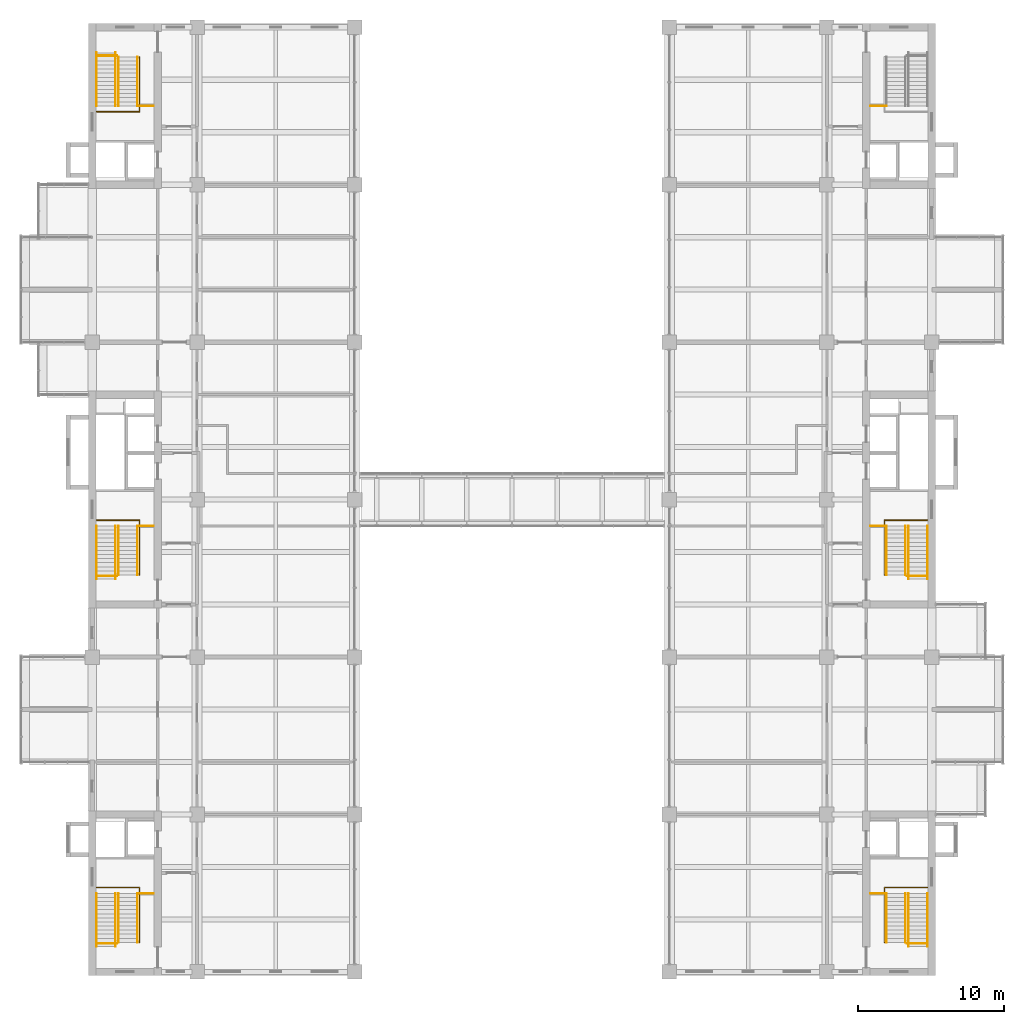
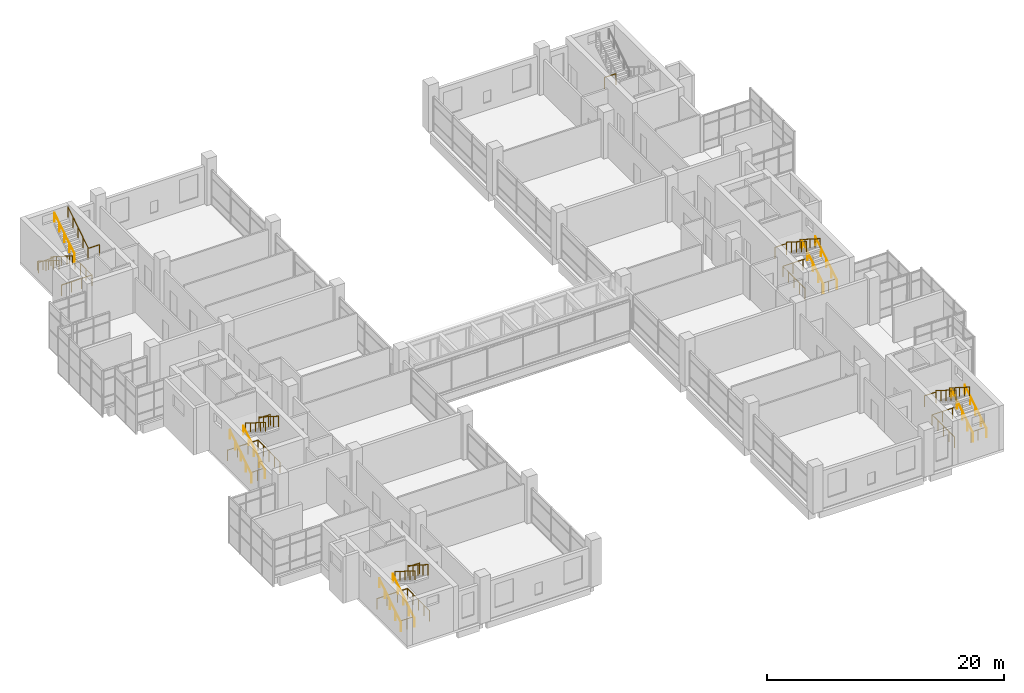
# One storey, part 34 of 35: 36 railings.
"""IFC4 building model written with IfcOpenShell, lengths in metres."""

from ifc_helpers import new_model, si_unit, direction, frame, origin, origin_2d, place, context, subcontext, project, spatial, circle, extrude, material, type_object, element, save


model = new_model("IFC4")

# Units and contexts
model_context = context("Model", 3, precision=1e-05, world=origin(), true_north=direction((0.0, 1.0)))
body_context = subcontext(model_context, "Body", "Model", "MODEL_VIEW")
ifc_project = project(units=[si_unit("LENGTHUNIT", "METRE"), si_unit("AREAUNIT", "SQUARE_METRE"), si_unit("VOLUMEUNIT", "CUBIC_METRE"), si_unit("PLANEANGLEUNIT", "RADIAN"), si_unit("MASSUNIT", "GRAM", prefix="KILO")], contexts=[model_context])

# Site, building, storey
site_placement = place(None, origin())
site = spatial("IfcSite", under=ifc_project, at=site_placement, CompositionType="ELEMENT")
building_placement = place(site_placement, origin())
building = spatial("IfcBuilding", under=site, at=building_placement, Name="Basin Gate Institute", CompositionType="ELEMENT")
storey_placement = place(building_placement, frame((0.0, 0.0, 31.800048828125)))
storey = spatial("IfcBuildingStorey", under=building, at=storey_placement, Name="L06", CompositionType="ELEMENT", Elevation=31.800048828125)

# Railings
ifc_material_1 = material(Name="Stainless steel", Category="steel")
railing_type_1 = type_object("IfcRailingType", Name="Stair guard GR1", PredefinedType="GUARDRAIL", material=ifc_material_1)
railing_1_placement = place(storey_placement, frame((64.449951171875, 37.1298828125, 0.0)))
element("IfcRailing", 1, at=railing_1_placement, inside=storey, type_object=railing_type_1, material=ifc_material_1, Name="Stair guard GR1 WS GD3-L05", PredefinedType="GUARDRAIL", context=body_context, shape_type="SweptSolid", body=[
    extrude(circle(Radius=0.02392578125, at=origin_2d()), frame((0.0, 0.0, 1.076171875), z_axis=(0.0, 1.0, 0.0), x_axis=(-1.0, 0.0, 0.0)), (0.0, 0.0, 1.0), 3.760009765625),
    extrude(circle(Radius=0.02392578125, at=origin_2d()), frame((0.0, 3.760009765625, 1.076171875), z_axis=(-1.0, 0.0, 0.0), x_axis=(0.0, -1.0, 0.0)), (0.0, 0.0, 1.0), 2.949951171875),
    extrude(circle(Radius=0.02099609375, at=origin_2d()), origin(), (0.0, 0.0, 1.0), 1.052001953125),
    extrude(circle(Radius=0.02099609375, at=origin_2d()), frame((0.0, 0.93994140625, 0.0)), (0.0, 0.0, 1.0), 1.052001953125),
    extrude(circle(Radius=0.02099609375, at=origin_2d()), frame((0.0, 1.8798828125, 0.0)), (0.0, 0.0, 1.0), 1.052001953125),
    extrude(circle(Radius=0.02099609375, at=origin_2d()), frame((0.0, 2.820068359375, 0.0)), (0.0, 0.0, 1.0), 1.052001953125),
    extrude(circle(Radius=0.02099609375, at=origin_2d()), frame((0.0, 3.760009765625, 0.0)), (0.0, 0.0, 1.0), 1.052001953125),
    extrude(circle(Radius=0.02099609375, at=origin_2d()), frame((-0.9833984375, 3.760009765625, 0.0)), (0.0, 0.0, 1.0), 1.052001953125),
    extrude(circle(Radius=0.02099609375, at=origin_2d()), frame((-1.966552734375, 3.760009765625, 0.0)), (0.0, 0.0, 1.0), 1.052001953125),
    extrude(circle(Radius=0.02099609375, at=origin_2d()), frame((-2.949951171875, 3.760009765625, 0.0)), (0.0, 0.0, 1.0), 1.052001953125),
])
railing_2_placement = place(storey_placement, frame((61.5, 37.050048828125, 0.0)))
element("IfcRailing", 2, at=railing_2_placement, inside=storey, type_object=railing_type_1, material=ifc_material_1, Name="Stair guard GR1 WS GD4-L05", PredefinedType="GUARDRAIL", context=body_context, shape_type="SweptSolid", body=[
    extrude(circle(Radius=0.02392578125, at=origin_2d()), frame((0.0, 0.0, 1.076171875), z_axis=(1.0, 0.0, 0.0), x_axis=(0.0, 1.0, 0.0)), (0.0, 0.0, 1.0), 1.39990234375),
    extrude(circle(Radius=0.02099609375, at=origin_2d()), origin(), (0.0, 0.0, 1.0), 1.052001953125),
    extrude(circle(Radius=0.02099609375, at=origin_2d()), frame((0.699951171875, 0.0, 0.0)), (0.0, 0.0, 1.0), 1.052001953125),
    extrude(circle(Radius=0.02099609375, at=origin_2d()), frame((1.39990234375, 0.0, 0.0)), (0.0, 0.0, 1.0), 1.052001953125),
])
railing_3_placement = place(storey_placement, frame((64.449951171875, 62.330078125, 0.0)))
element("IfcRailing", 3, at=railing_3_placement, inside=storey, type_object=railing_type_1, material=ifc_material_1, Name="Stair guard GR1 WM GD3-L05", PredefinedType="GUARDRAIL", context=body_context, shape_type="SweptSolid", body=[
    extrude(circle(Radius=0.02392578125, at=origin_2d()), frame((0.0, 0.0, 1.076171875), z_axis=(0.0, 1.0, 0.0), x_axis=(-1.0, 0.0, 0.0)), (0.0, 0.0, 1.0), 3.760009765625),
    extrude(circle(Radius=0.02392578125, at=origin_2d()), frame((0.0, 3.760009765625, 1.076171875), z_axis=(-1.0, 0.0, 0.0), x_axis=(0.0, -1.0, 0.0)), (0.0, 0.0, 1.0), 2.949951171875),
    extrude(circle(Radius=0.02099609375, at=origin_2d()), origin(), (0.0, 0.0, 1.0), 1.052001953125),
    extrude(circle(Radius=0.02099609375, at=origin_2d()), frame((0.0, 0.93994140625, 0.0)), (0.0, 0.0, 1.0), 1.052001953125),
    extrude(circle(Radius=0.02099609375, at=origin_2d()), frame((0.0, 1.8798828125, 0.0)), (0.0, 0.0, 1.0), 1.052001953125),
    extrude(circle(Radius=0.02099609375, at=origin_2d()), frame((0.0, 2.820068359375, 0.0)), (0.0, 0.0, 1.0), 1.052001953125),
    extrude(circle(Radius=0.02099609375, at=origin_2d()), frame((0.0, 3.760009765625, 0.0)), (0.0, 0.0, 1.0), 1.052001953125),
    extrude(circle(Radius=0.02099609375, at=origin_2d()), frame((-0.9833984375, 3.760009765625, 0.0)), (0.0, 0.0, 1.0), 1.052001953125),
    extrude(circle(Radius=0.02099609375, at=origin_2d()), frame((-1.966552734375, 3.760009765625, 0.0)), (0.0, 0.0, 1.0), 1.052001953125),
    extrude(circle(Radius=0.02099609375, at=origin_2d()), frame((-2.949951171875, 3.760009765625, 0.0)), (0.0, 0.0, 1.0), 1.052001953125),
])
railing_4_placement = place(storey_placement, frame((61.5, 62.25, 0.0)))
element("IfcRailing", 4, at=railing_4_placement, inside=storey, type_object=railing_type_1, material=ifc_material_1, Name="Stair guard GR1 WM GD4-L05", PredefinedType="GUARDRAIL", context=body_context, shape_type="SweptSolid", body=[
    extrude(circle(Radius=0.02392578125, at=origin_2d()), frame((0.0, 0.0, 1.076171875), z_axis=(1.0, 0.0, 0.0), x_axis=(0.0, 1.0, 0.0)), (0.0, 0.0, 1.0), 1.39990234375),
    extrude(circle(Radius=0.02099609375, at=origin_2d()), origin(), (0.0, 0.0, 1.0), 1.052001953125),
    extrude(circle(Radius=0.02099609375, at=origin_2d()), frame((0.699951171875, 0.0, 0.0)), (0.0, 0.0, 1.0), 1.052001953125),
    extrude(circle(Radius=0.02099609375, at=origin_2d()), frame((1.39990234375, 0.0, 0.0)), (0.0, 0.0, 1.0), 1.052001953125),
])
railing_5_placement = place(storey_placement, frame((64.449951171875, 97.8701171875, 0.0)))
element("IfcRailing", 5, at=railing_5_placement, inside=storey, type_object=railing_type_1, material=ifc_material_1, Name="Stair guard GR1 WN GD3-L05", PredefinedType="GUARDRAIL", context=body_context, shape_type="SweptSolid", body=[
    extrude(circle(Radius=0.02392578125, at=origin_2d()), frame((0.0, 0.0, 1.076171875), z_axis=(0.0, -1.0, 0.0), x_axis=(1.0, 0.0, 0.0)), (0.0, 0.0, 1.0), 3.760009765625),
    extrude(circle(Radius=0.02392578125, at=origin_2d()), frame((0.0, -3.760009765625, 1.076171875), z_axis=(-1.0, 0.0, 0.0), x_axis=(0.0, -1.0, 0.0)), (0.0, 0.0, 1.0), 2.949951171875),
    extrude(circle(Radius=0.02099609375, at=origin_2d()), origin(), (0.0, 0.0, 1.0), 1.052001953125),
    extrude(circle(Radius=0.02099609375, at=origin_2d()), frame((0.0, -0.93994140625, 0.0)), (0.0, 0.0, 1.0), 1.052001953125),
    extrude(circle(Radius=0.02099609375, at=origin_2d()), frame((0.0, -1.8798828125, 0.0)), (0.0, 0.0, 1.0), 1.052001953125),
    extrude(circle(Radius=0.02099609375, at=origin_2d()), frame((0.0, -2.820068359375, 0.0)), (0.0, 0.0, 1.0), 1.052001953125),
    extrude(circle(Radius=0.02099609375, at=origin_2d()), frame((0.0, -3.760009765625, 0.0)), (0.0, 0.0, 1.0), 1.052001953125),
    extrude(circle(Radius=0.02099609375, at=origin_2d()), frame((-0.9833984375, -3.760009765625, 0.0)), (0.0, 0.0, 1.0), 1.052001953125),
    extrude(circle(Radius=0.02099609375, at=origin_2d()), frame((-1.966552734375, -3.760009765625, 0.0)), (0.0, 0.0, 1.0), 1.052001953125),
    extrude(circle(Radius=0.02099609375, at=origin_2d()), frame((-2.949951171875, -3.760009765625, 0.0)), (0.0, 0.0, 1.0), 1.052001953125),
])
railing_6_placement = place(storey_placement, frame((61.5, 97.949951171875, 0.0)))
element("IfcRailing", 6, at=railing_6_placement, inside=storey, type_object=railing_type_1, material=ifc_material_1, Name="Stair guard GR1 WN GD4-L05", PredefinedType="GUARDRAIL", context=body_context, shape_type="SweptSolid", body=[
    extrude(circle(Radius=0.02392578125, at=origin_2d()), frame((0.0, 0.0, 1.076171875), z_axis=(1.0, 0.0, 0.0), x_axis=(0.0, 1.0, 0.0)), (0.0, 0.0, 1.0), 1.39990234375),
    extrude(circle(Radius=0.02099609375, at=origin_2d()), origin(), (0.0, 0.0, 1.0), 1.052001953125),
    extrude(circle(Radius=0.02099609375, at=origin_2d()), frame((0.699951171875, 0.0, 0.0)), (0.0, 0.0, 1.0), 1.052001953125),
    extrude(circle(Radius=0.02099609375, at=origin_2d()), frame((1.39990234375, 0.0, 0.0)), (0.0, 0.0, 1.0), 1.052001953125),
])
railing_7_placement = place(storey_placement, frame((115.550048828125, 37.1298828125, 0.0)))
element("IfcRailing", 7, at=railing_7_placement, inside=storey, type_object=railing_type_1, material=ifc_material_1, Name="Stair guard GR1 ES GD3-L05", PredefinedType="GUARDRAIL", context=body_context, shape_type="SweptSolid", body=[
    extrude(circle(Radius=0.02392578125, at=origin_2d()), frame((0.0, 0.0, 1.076171875), z_axis=(0.0, 1.0, 0.0), x_axis=(-1.0, 0.0, 0.0)), (0.0, 0.0, 1.0), 3.760009765625),
    extrude(circle(Radius=0.02392578125, at=origin_2d()), frame((0.0, 3.760009765625, 1.076171875), z_axis=(1.0, 0.0, 0.0), x_axis=(0.0, 1.0, 0.0)), (0.0, 0.0, 1.0), 2.949951171875),
    extrude(circle(Radius=0.02099609375, at=origin_2d()), origin(), (0.0, 0.0, 1.0), 1.052001953125),
    extrude(circle(Radius=0.02099609375, at=origin_2d()), frame((0.0, 0.93994140625, 0.0)), (0.0, 0.0, 1.0), 1.052001953125),
    extrude(circle(Radius=0.02099609375, at=origin_2d()), frame((0.0, 1.8798828125, 0.0)), (0.0, 0.0, 1.0), 1.052001953125),
    extrude(circle(Radius=0.02099609375, at=origin_2d()), frame((0.0, 2.820068359375, 0.0)), (0.0, 0.0, 1.0), 1.052001953125),
    extrude(circle(Radius=0.02099609375, at=origin_2d()), frame((0.0, 3.760009765625, 0.0)), (0.0, 0.0, 1.0), 1.052001953125),
    extrude(circle(Radius=0.02099609375, at=origin_2d()), frame((0.9833984375, 3.760009765625, 0.0)), (0.0, 0.0, 1.0), 1.052001953125),
    extrude(circle(Radius=0.02099609375, at=origin_2d()), frame((1.966552734375, 3.760009765625, 0.0)), (0.0, 0.0, 1.0), 1.052001953125),
    extrude(circle(Radius=0.02099609375, at=origin_2d()), frame((2.949951171875, 3.760009765625, 0.0)), (0.0, 0.0, 1.0), 1.052001953125),
])
railing_8_placement = place(storey_placement, frame((118.5, 37.050048828125, 0.0)))
element("IfcRailing", 8, at=railing_8_placement, inside=storey, type_object=railing_type_1, material=ifc_material_1, Name="Stair guard GR1 ES GD4-L05", PredefinedType="GUARDRAIL", context=body_context, shape_type="SweptSolid", body=[
    extrude(circle(Radius=0.02392578125, at=origin_2d()), frame((0.0, 0.0, 1.076171875), z_axis=(-1.0, 0.0, 0.0), x_axis=(0.0, -1.0, 0.0)), (0.0, 0.0, 1.0), 1.39990234375),
    extrude(circle(Radius=0.02099609375, at=origin_2d()), origin(), (0.0, 0.0, 1.0), 1.052001953125),
    extrude(circle(Radius=0.02099609375, at=origin_2d()), frame((-0.699951171875, 0.0, 0.0)), (0.0, 0.0, 1.0), 1.052001953125),
    extrude(circle(Radius=0.02099609375, at=origin_2d()), frame((-1.39990234375, 0.0, 0.0)), (0.0, 0.0, 1.0), 1.052001953125),
])
railing_9_placement = place(storey_placement, frame((115.550048828125, 62.330078125, 0.0)))
element("IfcRailing", 9, at=railing_9_placement, inside=storey, type_object=railing_type_1, material=ifc_material_1, Name="Stair guard GR1 EM GD3-L05", PredefinedType="GUARDRAIL", context=body_context, shape_type="SweptSolid", body=[
    extrude(circle(Radius=0.02392578125, at=origin_2d()), frame((0.0, 0.0, 1.076171875), z_axis=(0.0, 1.0, 0.0), x_axis=(-1.0, 0.0, 0.0)), (0.0, 0.0, 1.0), 3.760009765625),
    extrude(circle(Radius=0.02392578125, at=origin_2d()), frame((0.0, 3.760009765625, 1.076171875), z_axis=(1.0, 0.0, 0.0), x_axis=(0.0, 1.0, 0.0)), (0.0, 0.0, 1.0), 2.949951171875),
    extrude(circle(Radius=0.02099609375, at=origin_2d()), origin(), (0.0, 0.0, 1.0), 1.052001953125),
    extrude(circle(Radius=0.02099609375, at=origin_2d()), frame((0.0, 0.93994140625, 0.0)), (0.0, 0.0, 1.0), 1.052001953125),
    extrude(circle(Radius=0.02099609375, at=origin_2d()), frame((0.0, 1.8798828125, 0.0)), (0.0, 0.0, 1.0), 1.052001953125),
    extrude(circle(Radius=0.02099609375, at=origin_2d()), frame((0.0, 2.820068359375, 0.0)), (0.0, 0.0, 1.0), 1.052001953125),
    extrude(circle(Radius=0.02099609375, at=origin_2d()), frame((0.0, 3.760009765625, 0.0)), (0.0, 0.0, 1.0), 1.052001953125),
    extrude(circle(Radius=0.02099609375, at=origin_2d()), frame((0.9833984375, 3.760009765625, 0.0)), (0.0, 0.0, 1.0), 1.052001953125),
    extrude(circle(Radius=0.02099609375, at=origin_2d()), frame((1.966552734375, 3.760009765625, 0.0)), (0.0, 0.0, 1.0), 1.052001953125),
    extrude(circle(Radius=0.02099609375, at=origin_2d()), frame((2.949951171875, 3.760009765625, 0.0)), (0.0, 0.0, 1.0), 1.052001953125),
])
railing_10_placement = place(storey_placement, frame((118.5, 62.25, 0.0)))
element("IfcRailing", 10, at=railing_10_placement, inside=storey, type_object=railing_type_1, material=ifc_material_1, Name="Stair guard GR1 EM GD4-L05", PredefinedType="GUARDRAIL", context=body_context, shape_type="SweptSolid", body=[
    extrude(circle(Radius=0.02392578125, at=origin_2d()), frame((0.0, 0.0, 1.076171875), z_axis=(-1.0, 0.0, 0.0), x_axis=(0.0, -1.0, 0.0)), (0.0, 0.0, 1.0), 1.39990234375),
    extrude(circle(Radius=0.02099609375, at=origin_2d()), origin(), (0.0, 0.0, 1.0), 1.052001953125),
    extrude(circle(Radius=0.02099609375, at=origin_2d()), frame((-0.699951171875, 0.0, 0.0)), (0.0, 0.0, 1.0), 1.052001953125),
    extrude(circle(Radius=0.02099609375, at=origin_2d()), frame((-1.39990234375, 0.0, 0.0)), (0.0, 0.0, 1.0), 1.052001953125),
])
railing_11_placement = place(storey_placement, frame((64.300048828125, 40.489990234375, 2.66650390625)))
element("IfcRailing", 11, at=railing_11_placement, inside=storey, type_object=railing_type_1, material=ifc_material_1, Name="Stair guard GR1 WS GD1", PredefinedType="GUARDRAIL", context=body_context, shape_type="SweptSolid", body=[
    extrude(circle(Radius=0.02392578125, at=origin_2d()), frame((0.0, 0.0, 1.076171875), z_axis=(0.0, -0.844196513831, 0.536033810533), x_axis=(1.0, 0.0, 0.0)), (0.0, 0.0, 1.0), 3.980224609375),
    extrude(circle(Radius=0.02099609375, at=origin_2d()), origin(), (0.0, 0.0, 1.0), 1.052001953125),
    extrude(circle(Radius=0.02099609375, at=origin_2d()), frame((0.0, -0.840087890625, 0.533447265625)), (0.0, 0.0, 1.0), 1.052001953125),
    extrude(circle(Radius=0.02099609375, at=origin_2d()), frame((0.0, -1.68017578125, 1.06689453125)), (0.0, 0.0, 1.0), 1.052001953125),
    extrude(circle(Radius=0.02099609375, at=origin_2d()), frame((0.0, -2.52001953125, 1.60009765625)), (0.0, 0.0, 1.0), 1.052001953125),
    extrude(circle(Radius=0.02099609375, at=origin_2d()), frame((0.0, -3.360107421875, 2.133544921875)), (0.0, 0.0, 1.0), 1.052001953125),
])
railing_12_placement = place(storey_placement, frame((64.300048828125, 65.68994140625, 2.66650390625)))
element("IfcRailing", 12, at=railing_12_placement, inside=storey, type_object=railing_type_1, material=ifc_material_1, Name="Stair guard GR1 WM GD1", PredefinedType="GUARDRAIL", context=body_context, shape_type="SweptSolid", body=[
    extrude(circle(Radius=0.02392578125, at=origin_2d()), frame((0.0, 0.0, 1.076171875), z_axis=(0.0, -0.844178888043, 0.536061568276), x_axis=(1.0, 0.0, 0.0)), (0.0, 0.0, 1.0), 3.97998046875),
    extrude(circle(Radius=0.02099609375, at=origin_2d()), origin(), (0.0, 0.0, 1.0), 1.052001953125),
    extrude(circle(Radius=0.02099609375, at=origin_2d()), frame((0.0, -0.83984375, 0.533447265625)), (0.0, 0.0, 1.0), 1.052001953125),
    extrude(circle(Radius=0.02099609375, at=origin_2d()), frame((0.0, -1.679931640625, 1.06689453125)), (0.0, 0.0, 1.0), 1.052001953125),
    extrude(circle(Radius=0.02099609375, at=origin_2d()), frame((0.0, -2.52001953125, 1.60009765625)), (0.0, 0.0, 1.0), 1.052001953125),
    extrude(circle(Radius=0.02099609375, at=origin_2d()), frame((0.0, -3.35986328125, 2.133544921875)), (0.0, 0.0, 1.0), 1.052001953125),
])
railing_13_placement = place(storey_placement, frame((64.300048828125, 94.510009765625, 2.66650390625)))
element("IfcRailing", 13, at=railing_13_placement, inside=storey, type_object=railing_type_1, material=ifc_material_1, Name="Stair guard GR1 WN GD1", PredefinedType="GUARDRAIL", context=body_context, shape_type="SweptSolid", body=[
    extrude(circle(Radius=0.02392578125, at=origin_2d()), frame((0.0, 0.0, 1.076171875), z_axis=(0.0, 0.844196513831, 0.536033810533), x_axis=(-1.0, 0.0, 0.0)), (0.0, 0.0, 1.0), 3.980224609375),
    extrude(circle(Radius=0.02099609375, at=origin_2d()), origin(), (0.0, 0.0, 1.0), 1.052001953125),
    extrude(circle(Radius=0.02099609375, at=origin_2d()), frame((0.0, 0.840087890625, 0.533447265625)), (0.0, 0.0, 1.0), 1.052001953125),
    extrude(circle(Radius=0.02099609375, at=origin_2d()), frame((0.0, 1.68017578125, 1.06689453125)), (0.0, 0.0, 1.0), 1.052001953125),
    extrude(circle(Radius=0.02099609375, at=origin_2d()), frame((0.0, 2.52001953125, 1.60009765625)), (0.0, 0.0, 1.0), 1.052001953125),
    extrude(circle(Radius=0.02099609375, at=origin_2d()), frame((0.0, 3.360107421875, 2.133544921875)), (0.0, 0.0, 1.0), 1.052001953125),
])
railing_14_placement = place(storey_placement, frame((115.699951171875, 40.489990234375, 2.66650390625)))
element("IfcRailing", 14, at=railing_14_placement, inside=storey, type_object=railing_type_1, material=ifc_material_1, Name="Stair guard GR1 ES GD1", PredefinedType="GUARDRAIL", context=body_context, shape_type="SweptSolid", body=[
    extrude(circle(Radius=0.02392578125, at=origin_2d()), frame((0.0, 0.0, 1.076171875), z_axis=(0.0, -0.844196513831, 0.536033810533), x_axis=(1.0, 0.0, 0.0)), (0.0, 0.0, 1.0), 3.980224609375),
    extrude(circle(Radius=0.02099609375, at=origin_2d()), origin(), (0.0, 0.0, 1.0), 1.052001953125),
    extrude(circle(Radius=0.02099609375, at=origin_2d()), frame((0.0, -0.840087890625, 0.533447265625)), (0.0, 0.0, 1.0), 1.052001953125),
    extrude(circle(Radius=0.02099609375, at=origin_2d()), frame((0.0, -1.68017578125, 1.06689453125)), (0.0, 0.0, 1.0), 1.052001953125),
    extrude(circle(Radius=0.02099609375, at=origin_2d()), frame((0.0, -2.52001953125, 1.60009765625)), (0.0, 0.0, 1.0), 1.052001953125),
    extrude(circle(Radius=0.02099609375, at=origin_2d()), frame((0.0, -3.360107421875, 2.133544921875)), (0.0, 0.0, 1.0), 1.052001953125),
])
railing_15_placement = place(storey_placement, frame((115.699951171875, 65.68994140625, 2.66650390625)))
element("IfcRailing", 15, at=railing_15_placement, inside=storey, type_object=railing_type_1, material=ifc_material_1, Name="Stair guard GR1 EM GD1", PredefinedType="GUARDRAIL", context=body_context, shape_type="SweptSolid", body=[
    extrude(circle(Radius=0.02392578125, at=origin_2d()), frame((0.0, 0.0, 1.076171875), z_axis=(0.0, -0.844178888043, 0.536061568276), x_axis=(1.0, 0.0, 0.0)), (0.0, 0.0, 1.0), 3.97998046875),
    extrude(circle(Radius=0.02099609375, at=origin_2d()), origin(), (0.0, 0.0, 1.0), 1.052001953125),
    extrude(circle(Radius=0.02099609375, at=origin_2d()), frame((0.0, -0.83984375, 0.533447265625)), (0.0, 0.0, 1.0), 1.052001953125),
    extrude(circle(Radius=0.02099609375, at=origin_2d()), frame((0.0, -1.679931640625, 1.06689453125)), (0.0, 0.0, 1.0), 1.052001953125),
    extrude(circle(Radius=0.02099609375, at=origin_2d()), frame((0.0, -2.52001953125, 1.60009765625)), (0.0, 0.0, 1.0), 1.052001953125),
    extrude(circle(Radius=0.02099609375, at=origin_2d()), frame((0.0, -3.35986328125, 2.133544921875)), (0.0, 0.0, 1.0), 1.052001953125),
])
ifc_material_2 = material(Name="Stainless steel", Category="steel")
railing_type_2 = type_object("IfcRailingType", Name="Stair guard GR3", PredefinedType="GUARDRAIL", material=ifc_material_2)
for number, where, name in (
    (16, (64.300048828125, 40.489990234375, 2.48876953125), "Stair guard GR3 WS GD2"),
    (17, (64.300048828125, 65.68994140625, 2.48876953125), "Stair guard GR3 WM GD2"),
    (18, (64.300048828125, 94.510009765625, 2.48876953125), "Stair guard GR3 WN GD2"),
):
    element("IfcRailing", number, at=place(storey_placement, frame(where)), inside=storey, type_object=railing_type_2, material=ifc_material_2, Name=name, PredefinedType="GUARDRAIL", context=body_context, shape_type="SweptSolid", body=[
        extrude(circle(Radius=0.02392578125, at=origin_2d()), frame((0.0, 0.0, 1.1259765625), z_axis=(1.0, 0.0, 0.0), x_axis=(0.0, 1.0, 0.0)), (0.0, 0.0, 1.0), 1.119873046875),
        extrude(circle(Radius=0.02099609375, at=origin_2d()), origin(), (0.0, 0.0, 1.0), 1.101806640625),
        extrude(circle(Radius=0.02099609375, at=origin_2d()), frame((1.119873046875, 0.0, 0.0)), (0.0, 0.0, 1.0), 1.101806640625),
    ])
for number, where, name in (
    (19, (115.699951171875, 40.489990234375, 2.48876953125), "Stair guard GR3 ES GD2"),
    (20, (115.699951171875, 65.68994140625, 2.48876953125), "Stair guard GR3 EM GD2"),
    (21, (115.699951171875, 94.510009765625, 2.48876953125), "Stair guard GR3 EN GD2"),
):
    element("IfcRailing", number, at=place(storey_placement, frame(where)), inside=storey, type_object=railing_type_2, material=ifc_material_2, Name=name, PredefinedType="GUARDRAIL", context=body_context, shape_type="SweptSolid", body=[
        extrude(circle(Radius=0.02392578125, at=origin_2d()), frame((0.0, 0.0, 1.1259765625), z_axis=(-1.0, 0.0, 0.0), x_axis=(0.0, -1.0, 0.0)), (0.0, 0.0, 1.0), 1.119873046875),
        extrude(circle(Radius=0.02099609375, at=origin_2d()), origin(), (0.0, 0.0, 1.0), 1.101806640625),
        extrude(circle(Radius=0.02099609375, at=origin_2d()), frame((-1.119873046875, 0.0, 0.0)), (0.0, 0.0, 1.0), 1.101806640625),
    ])
ifc_material_3 = material(Name="Stainless steel", Category="steel")
railing_type_3 = type_object("IfcRailingType", Name="Stair handrail HR1", PredefinedType="HANDRAIL", material=ifc_material_3)
for number, where, name in (
    (22, (61.5, 36.85009765625, 0.177734375), "Stair handrail HR1 WS HR1"),
    (23, (62.800048828125, 36.85009765625, 0.177734375), "Stair handrail HR1 WS HR2"),
):
    element("IfcRailing", number, at=place(storey_placement, frame(where)), inside=storey, type_object=railing_type_3, material=ifc_material_3, Name=name, PredefinedType="HANDRAIL", context=body_context, shape_type="SweptSolid", body=[
        extrude(circle(Radius=0.02392578125, at=origin_2d()), frame((0.0, 0.0, 0.89599609375), z_axis=(0.0, 0.84421362867, 0.536006855523), x_axis=(-1.0, 0.0, 0.0)), (0.0, 0.0, 1.0), 4.3115234375),
        extrude(circle(Radius=0.02099609375, at=origin_2d()), origin(), (0.0, 0.0, 1.0), 0.871826171875),
        extrude(circle(Radius=0.02099609375, at=origin_2d()), frame((0.0, 0.909912109375, 0.57763671875)), (0.0, 0.0, 1.0), 0.871826171875),
        extrude(circle(Radius=0.02099609375, at=origin_2d()), frame((0.0, 1.81982421875, 1.155517578125)), (0.0, 0.0, 1.0), 0.871826171875),
        extrude(circle(Radius=0.02099609375, at=origin_2d()), frame((0.0, 2.72998046875, 1.7333984375)), (0.0, 0.0, 1.0), 0.871826171875),
        extrude(circle(Radius=0.02099609375, at=origin_2d()), frame((0.0, 3.639892578125, 2.31103515625)), (0.0, 0.0, 1.0), 0.871826171875),
    ])
railing_16_placement = place(storey_placement, frame((63.0, 40.489990234375, 2.66650390625)))
element("IfcRailing", 24, at=railing_16_placement, inside=storey, type_object=railing_type_3, material=ifc_material_3, Name="Stair handrail HR1 WS HR3", PredefinedType="HANDRAIL", context=body_context, shape_type="SweptSolid", body=[
    extrude(circle(Radius=0.02392578125, at=origin_2d()), frame((0.0, 0.0, 0.89599609375), z_axis=(0.0, -0.844196513831, 0.536033810533), x_axis=(1.0, 0.0, 0.0)), (0.0, 0.0, 1.0), 3.980224609375),
    extrude(circle(Radius=0.02099609375, at=origin_2d()), origin(), (0.0, 0.0, 1.0), 0.871826171875),
    extrude(circle(Radius=0.02099609375, at=origin_2d()), frame((0.0, -0.840087890625, 0.533447265625)), (0.0, 0.0, 1.0), 0.871826171875),
    extrude(circle(Radius=0.02099609375, at=origin_2d()), frame((0.0, -1.68017578125, 1.06689453125)), (0.0, 0.0, 1.0), 0.871826171875),
    extrude(circle(Radius=0.02099609375, at=origin_2d()), frame((0.0, -2.52001953125, 1.60009765625)), (0.0, 0.0, 1.0), 0.871826171875),
    extrude(circle(Radius=0.02099609375, at=origin_2d()), frame((0.0, -3.360107421875, 2.133544921875)), (0.0, 0.0, 1.0), 0.871826171875),
])
for number, where, name in (
    (25, (61.5, 62.050048828125, 0.177734375), "Stair handrail HR1 WM HR1"),
    (26, (62.800048828125, 62.050048828125, 0.177734375), "Stair handrail HR1 WM HR2"),
):
    element("IfcRailing", number, at=place(storey_placement, frame(where)), inside=storey, type_object=railing_type_3, material=ifc_material_3, Name=name, PredefinedType="HANDRAIL", context=body_context, shape_type="SweptSolid", body=[
        extrude(circle(Radius=0.02392578125, at=origin_2d()), frame((0.0, 0.0, 0.89599609375), z_axis=(0.0, 0.84421362867, 0.536006855523), x_axis=(-1.0, 0.0, 0.0)), (0.0, 0.0, 1.0), 4.3115234375),
        extrude(circle(Radius=0.02099609375, at=origin_2d()), origin(), (0.0, 0.0, 1.0), 0.871826171875),
        extrude(circle(Radius=0.02099609375, at=origin_2d()), frame((0.0, 0.909912109375, 0.57763671875)), (0.0, 0.0, 1.0), 0.871826171875),
        extrude(circle(Radius=0.02099609375, at=origin_2d()), frame((0.0, 1.81982421875, 1.155517578125)), (0.0, 0.0, 1.0), 0.871826171875),
        extrude(circle(Radius=0.02099609375, at=origin_2d()), frame((0.0, 2.72998046875, 1.7333984375)), (0.0, 0.0, 1.0), 0.871826171875),
        extrude(circle(Radius=0.02099609375, at=origin_2d()), frame((0.0, 3.639892578125, 2.31103515625)), (0.0, 0.0, 1.0), 0.871826171875),
    ])
railing_17_placement = place(storey_placement, frame((63.0, 65.68994140625, 2.66650390625)))
element("IfcRailing", 27, at=railing_17_placement, inside=storey, type_object=railing_type_3, material=ifc_material_3, Name="Stair handrail HR1 WM HR3", PredefinedType="HANDRAIL", context=body_context, shape_type="SweptSolid", body=[
    extrude(circle(Radius=0.02392578125, at=origin_2d()), frame((0.0, 0.0, 0.89599609375), z_axis=(0.0, -0.844178888043, 0.536061568276), x_axis=(1.0, 0.0, 0.0)), (0.0, 0.0, 1.0), 3.97998046875),
    extrude(circle(Radius=0.02099609375, at=origin_2d()), origin(), (0.0, 0.0, 1.0), 0.871826171875),
    extrude(circle(Radius=0.02099609375, at=origin_2d()), frame((0.0, -0.83984375, 0.533447265625)), (0.0, 0.0, 1.0), 0.871826171875),
    extrude(circle(Radius=0.02099609375, at=origin_2d()), frame((0.0, -1.679931640625, 1.06689453125)), (0.0, 0.0, 1.0), 0.871826171875),
    extrude(circle(Radius=0.02099609375, at=origin_2d()), frame((0.0, -2.52001953125, 1.60009765625)), (0.0, 0.0, 1.0), 0.871826171875),
    extrude(circle(Radius=0.02099609375, at=origin_2d()), frame((0.0, -3.35986328125, 2.133544921875)), (0.0, 0.0, 1.0), 0.871826171875),
])
for number, where, name in (
    (28, (61.5, 98.14990234375, 0.177734375), "Stair handrail HR1 WN HR1"),
    (29, (62.800048828125, 98.14990234375, 0.177734375), "Stair handrail HR1 WN HR2"),
):
    element("IfcRailing", number, at=place(storey_placement, frame(where)), inside=storey, type_object=railing_type_3, material=ifc_material_3, Name=name, PredefinedType="HANDRAIL", context=body_context, shape_type="SweptSolid", body=[
        extrude(circle(Radius=0.02392578125, at=origin_2d()), frame((0.0, 0.0, 0.89599609375), z_axis=(0.0, -0.84421362867, 0.536006855523), x_axis=(1.0, 0.0, 0.0)), (0.0, 0.0, 1.0), 4.3115234375),
        extrude(circle(Radius=0.02099609375, at=origin_2d()), origin(), (0.0, 0.0, 1.0), 0.871826171875),
        extrude(circle(Radius=0.02099609375, at=origin_2d()), frame((0.0, -0.909912109375, 0.57763671875)), (0.0, 0.0, 1.0), 0.871826171875),
        extrude(circle(Radius=0.02099609375, at=origin_2d()), frame((0.0, -1.81982421875, 1.155517578125)), (0.0, 0.0, 1.0), 0.871826171875),
        extrude(circle(Radius=0.02099609375, at=origin_2d()), frame((0.0, -2.72998046875, 1.7333984375)), (0.0, 0.0, 1.0), 0.871826171875),
        extrude(circle(Radius=0.02099609375, at=origin_2d()), frame((0.0, -3.639892578125, 2.31103515625)), (0.0, 0.0, 1.0), 0.871826171875),
    ])
railing_18_placement = place(storey_placement, frame((63.0, 94.510009765625, 2.66650390625)))
element("IfcRailing", 30, at=railing_18_placement, inside=storey, type_object=railing_type_3, material=ifc_material_3, Name="Stair handrail HR1 WN HR3", PredefinedType="HANDRAIL", context=body_context, shape_type="SweptSolid", body=[
    extrude(circle(Radius=0.02392578125, at=origin_2d()), frame((0.0, 0.0, 0.89599609375), z_axis=(0.0, 0.844196513831, 0.536033810533), x_axis=(-1.0, 0.0, 0.0)), (0.0, 0.0, 1.0), 3.980224609375),
    extrude(circle(Radius=0.02099609375, at=origin_2d()), origin(), (0.0, 0.0, 1.0), 0.871826171875),
    extrude(circle(Radius=0.02099609375, at=origin_2d()), frame((0.0, 0.840087890625, 0.533447265625)), (0.0, 0.0, 1.0), 0.871826171875),
    extrude(circle(Radius=0.02099609375, at=origin_2d()), frame((0.0, 1.68017578125, 1.06689453125)), (0.0, 0.0, 1.0), 0.871826171875),
    extrude(circle(Radius=0.02099609375, at=origin_2d()), frame((0.0, 2.52001953125, 1.60009765625)), (0.0, 0.0, 1.0), 0.871826171875),
    extrude(circle(Radius=0.02099609375, at=origin_2d()), frame((0.0, 3.360107421875, 2.133544921875)), (0.0, 0.0, 1.0), 0.871826171875),
])
for number, where, name in (
    (31, (118.5, 36.85009765625, 0.177734375), "Stair handrail HR1 ES HR1"),
    (32, (117.199951171875, 36.85009765625, 0.177734375), "Stair handrail HR1 ES HR2"),
):
    element("IfcRailing", number, at=place(storey_placement, frame(where)), inside=storey, type_object=railing_type_3, material=ifc_material_3, Name=name, PredefinedType="HANDRAIL", context=body_context, shape_type="SweptSolid", body=[
        extrude(circle(Radius=0.02392578125, at=origin_2d()), frame((0.0, 0.0, 0.89599609375), z_axis=(0.0, 0.84421362867, 0.536006855523), x_axis=(-1.0, 0.0, 0.0)), (0.0, 0.0, 1.0), 4.3115234375),
        extrude(circle(Radius=0.02099609375, at=origin_2d()), origin(), (0.0, 0.0, 1.0), 0.871826171875),
        extrude(circle(Radius=0.02099609375, at=origin_2d()), frame((0.0, 0.909912109375, 0.57763671875)), (0.0, 0.0, 1.0), 0.871826171875),
        extrude(circle(Radius=0.02099609375, at=origin_2d()), frame((0.0, 1.81982421875, 1.155517578125)), (0.0, 0.0, 1.0), 0.871826171875),
        extrude(circle(Radius=0.02099609375, at=origin_2d()), frame((0.0, 2.72998046875, 1.7333984375)), (0.0, 0.0, 1.0), 0.871826171875),
        extrude(circle(Radius=0.02099609375, at=origin_2d()), frame((0.0, 3.639892578125, 2.31103515625)), (0.0, 0.0, 1.0), 0.871826171875),
    ])
railing_19_placement = place(storey_placement, frame((117.0, 40.489990234375, 2.66650390625)))
element("IfcRailing", 33, at=railing_19_placement, inside=storey, type_object=railing_type_3, material=ifc_material_3, Name="Stair handrail HR1 ES HR3", PredefinedType="HANDRAIL", context=body_context, shape_type="SweptSolid", body=[
    extrude(circle(Radius=0.02392578125, at=origin_2d()), frame((0.0, 0.0, 0.89599609375), z_axis=(0.0, -0.844196513831, 0.536033810533), x_axis=(1.0, 0.0, 0.0)), (0.0, 0.0, 1.0), 3.980224609375),
    extrude(circle(Radius=0.02099609375, at=origin_2d()), origin(), (0.0, 0.0, 1.0), 0.871826171875),
    extrude(circle(Radius=0.02099609375, at=origin_2d()), frame((0.0, -0.840087890625, 0.533447265625)), (0.0, 0.0, 1.0), 0.871826171875),
    extrude(circle(Radius=0.02099609375, at=origin_2d()), frame((0.0, -1.68017578125, 1.06689453125)), (0.0, 0.0, 1.0), 0.871826171875),
    extrude(circle(Radius=0.02099609375, at=origin_2d()), frame((0.0, -2.52001953125, 1.60009765625)), (0.0, 0.0, 1.0), 0.871826171875),
    extrude(circle(Radius=0.02099609375, at=origin_2d()), frame((0.0, -3.360107421875, 2.133544921875)), (0.0, 0.0, 1.0), 0.871826171875),
])
for number, where, name in (
    (34, (118.5, 62.050048828125, 0.177734375), "Stair handrail HR1 EM HR1"),
    (35, (117.199951171875, 62.050048828125, 0.177734375), "Stair handrail HR1 EM HR2"),
):
    element("IfcRailing", number, at=place(storey_placement, frame(where)), inside=storey, type_object=railing_type_3, material=ifc_material_3, Name=name, PredefinedType="HANDRAIL", context=body_context, shape_type="SweptSolid", body=[
        extrude(circle(Radius=0.02392578125, at=origin_2d()), frame((0.0, 0.0, 0.89599609375), z_axis=(0.0, 0.84421362867, 0.536006855523), x_axis=(-1.0, 0.0, 0.0)), (0.0, 0.0, 1.0), 4.3115234375),
        extrude(circle(Radius=0.02099609375, at=origin_2d()), origin(), (0.0, 0.0, 1.0), 0.871826171875),
        extrude(circle(Radius=0.02099609375, at=origin_2d()), frame((0.0, 0.909912109375, 0.57763671875)), (0.0, 0.0, 1.0), 0.871826171875),
        extrude(circle(Radius=0.02099609375, at=origin_2d()), frame((0.0, 1.81982421875, 1.155517578125)), (0.0, 0.0, 1.0), 0.871826171875),
        extrude(circle(Radius=0.02099609375, at=origin_2d()), frame((0.0, 2.72998046875, 1.7333984375)), (0.0, 0.0, 1.0), 0.871826171875),
        extrude(circle(Radius=0.02099609375, at=origin_2d()), frame((0.0, 3.639892578125, 2.31103515625)), (0.0, 0.0, 1.0), 0.871826171875),
    ])
railing_20_placement = place(storey_placement, frame((117.0, 65.68994140625, 2.66650390625)))
element("IfcRailing", 36, at=railing_20_placement, inside=storey, type_object=railing_type_3, material=ifc_material_3, Name="Stair handrail HR1 EM HR3", PredefinedType="HANDRAIL", context=body_context, shape_type="SweptSolid", body=[
    extrude(circle(Radius=0.02392578125, at=origin_2d()), frame((0.0, 0.0, 0.89599609375), z_axis=(0.0, -0.844178888043, 0.536061568276), x_axis=(1.0, 0.0, 0.0)), (0.0, 0.0, 1.0), 3.97998046875),
    extrude(circle(Radius=0.02099609375, at=origin_2d()), origin(), (0.0, 0.0, 1.0), 0.871826171875),
    extrude(circle(Radius=0.02099609375, at=origin_2d()), frame((0.0, -0.83984375, 0.533447265625)), (0.0, 0.0, 1.0), 0.871826171875),
    extrude(circle(Radius=0.02099609375, at=origin_2d()), frame((0.0, -1.679931640625, 1.06689453125)), (0.0, 0.0, 1.0), 0.871826171875),
    extrude(circle(Radius=0.02099609375, at=origin_2d()), frame((0.0, -2.52001953125, 1.60009765625)), (0.0, 0.0, 1.0), 0.871826171875),
    extrude(circle(Radius=0.02099609375, at=origin_2d()), frame((0.0, -3.35986328125, 2.133544921875)), (0.0, 0.0, 1.0), 0.871826171875),
])

save(model, "model.ifc")
